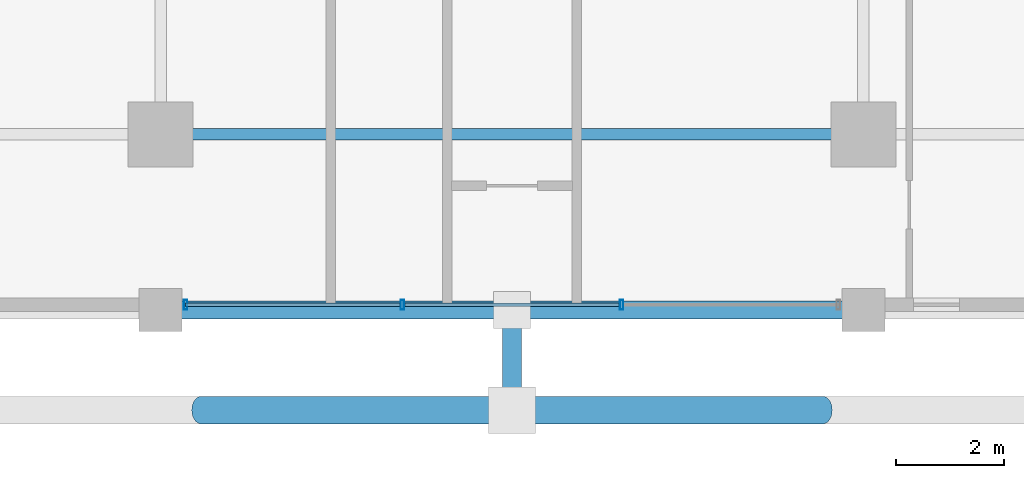
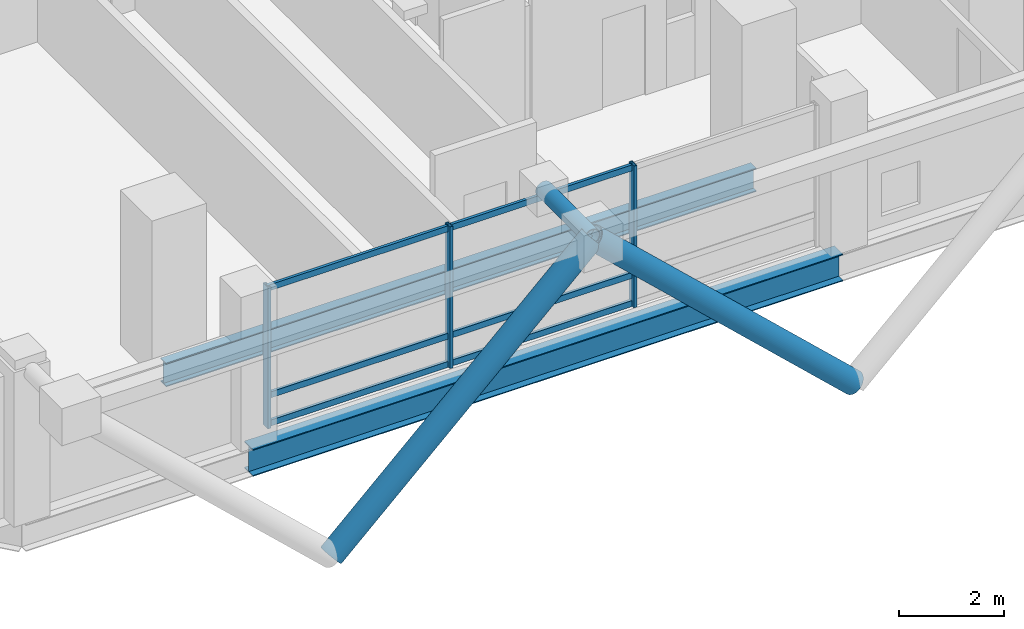
# One storey, part 2 of 25: 12 members, 2 beams, 1 element without a shape of its own.
"""IFC4 building model written with IfcOpenShell, lengths in metres."""

import ifcopenshell
import ifcopenshell.guid

model = None  # the IFC model being written
_history = None  # IfcOwnerHistory: only IFC2X3 demands one
_inside = {}  # id of a spatial element -> (the spatial element, [elements in it])
_under = {}  # id of a project, library or spatial element -> (it, [spatial elements below it])
_declared = {}  # id of a project -> (the project, [libraries it declares])
_typed = {}  # id of a type object -> (the type object, [elements of that type])
_made_of = {}  # id of a material, layer set ... -> (it, [elements and type objects made of it])


def new_model(schema):
    """Start an empty IFC model of exactly this schema.

    Asked for "IFC4X3", IfcOpenShell would pick the latest addendum, in which some entities
    have other attributes; the version numbers below select the first issue.
    IFC2X3 requires an IfcOwnerHistory on every rooted entity: one is made here for all.
    """
    global model, _history
    if schema == "IFC4X3":
        model = ifcopenshell.file(schema_version=(4, 3, 0, 0))
    else:
        model = ifcopenshell.file(schema=schema)
    _inside.clear()
    _under.clear()
    _declared.clear()
    _typed.clear()
    _made_of.clear()
    _history = None
    if model.schema == "IFC2X3":
        org = make("IfcOrganization", Name="unknown")
        user = make(
            "IfcPersonAndOrganization",
            ThePerson=make("IfcPerson", FamilyName="unknown"),
            TheOrganization=org,
        )
        app = make(
            "IfcApplication",
            ApplicationDeveloper=org,
            Version="unknown",
            ApplicationFullName="unknown",
            ApplicationIdentifier="unknown",
        )
        _history = make(
            "IfcOwnerHistory",
            OwningUser=user,
            OwningApplication=app,
            ChangeAction="ADDED",
            CreationDate=0,
        )
    return model


def make(cls, **values):
    """One entity of the class cls with the attributes given. An attribute that is None is left unset."""
    return model.create_entity(
        cls, **{name: value for name, value in values.items() if value is not None}
    )


def rooted(cls, **values):
    """An entity with a GlobalId (a new one), such as an element, a storey or a relation."""
    return make(cls, GlobalId=ifcopenshell.guid.new(), OwnerHistory=_history, **values)


def si_unit(unit_type, name, prefix=None):
    """IfcSIUnit, for example si_unit("LENGTHUNIT", "METRE", prefix="MILLI")."""
    return make("IfcSIUnit", UnitType=unit_type, Prefix=prefix, Name=name)


def assignment(units):
    """IfcUnitAssignment: the units of a project."""
    return None if units is None else make("IfcUnitAssignment", Units=units)


def point(xyz):
    """IfcCartesianPoint."""
    return None if xyz is None else make("IfcCartesianPoint", Coordinates=xyz)


def direction(xyz):
    """IfcDirection."""
    return None if xyz is None else make("IfcDirection", DirectionRatios=xyz)


def frame(location, z_axis=None, x_axis=None):
    """IfcAxis2Placement3D, a coordinate frame: its origin and axes. An axis left out is left unset."""
    return make(
        "IfcAxis2Placement3D",
        Location=point(location),
        Axis=direction(z_axis),
        RefDirection=direction(x_axis),
    )


def frame_2d(location, x_axis=None):
    """IfcAxis2Placement2D, a coordinate frame in the plane: its origin and x axis."""
    return make(
        "IfcAxis2Placement2D", Location=point(location), RefDirection=direction(x_axis)
    )


def origin():
    """The frame at (0, 0, 0) with its axes left unset."""
    return frame((0.0, 0.0, 0.0))


def origin_2d():
    """The frame at (0, 0) in the plane with its x axis left unset."""
    return frame_2d((0.0, 0.0))


def place(relative_to, where):
    """IfcLocalPlacement: puts the frame where relative to a parent placement (None: the world)."""
    return make(
        "IfcLocalPlacement", PlacementRelTo=relative_to, RelativePlacement=where
    )


def context(
    kind, dimensions, precision=None, world=None, true_north=None, identifier=None
):
    """IfcGeometricRepresentationContext, for example the 3D "Model" context."""
    return make(
        "IfcGeometricRepresentationContext",
        ContextIdentifier=identifier,
        ContextType=kind,
        CoordinateSpaceDimension=dimensions,
        Precision=precision,
        WorldCoordinateSystem=world,
        TrueNorth=true_north,
    )


def subcontext(parent, identifier, kind, view, scale=None):
    """IfcGeometricRepresentationSubContext, for example "Body" below "Model"."""
    return make(
        "IfcGeometricRepresentationSubContext",
        ContextIdentifier=identifier,
        ContextType=kind,
        ParentContext=parent,
        TargetScale=scale,
        TargetView=view,
    )


def project(units=None, contexts=None):
    """IfcProject with its units and contexts."""
    return rooted(
        "IfcProject",
        Name="project",
        RepresentationContexts=contexts,
        UnitsInContext=assignment(units),
    )


def spatial(cls, under=None, at=None, **own):
    """A site, building, storey or space (cls), placed at a placement, below another one or the project."""
    s = rooted(cls, ObjectPlacement=at, **own)
    if under is not None:
        _under.setdefault(under.id(), (under, []))[1].append(s)
    return s


def profile(cls, at=None, kind="AREA", **sizes):
    """A parametric profile (cls). Its sizes go by their IFC names, for example OverallWidth=200.0."""
    return make(cls, ProfileType=kind, Position=at, **sizes)


def hollow_rectangle(**sizes):
    """IfcRectangleHollowProfileDef."""
    return profile("IfcRectangleHollowProfileDef", **sizes)


def hollow_circle(**sizes):
    """IfcCircleHollowProfileDef."""
    return profile("IfcCircleHollowProfileDef", **sizes)


def i_section(**sizes):
    """IfcIShapeProfileDef."""
    return profile("IfcIShapeProfileDef", **sizes)


def extrude(swept, where, along, depth):
    """IfcExtrudedAreaSolid: the profile swept, set in the frame where, extruded along a direction by depth."""
    return make(
        "IfcExtrudedAreaSolid",
        SweptArea=swept,
        Position=where,
        ExtrudedDirection=direction(along),
        Depth=depth,
    )


def shape(context_of_items, identifier, shape_type, items):
    """IfcShapeRepresentation: the items that make up one representation, for example the "Body"."""
    return make(
        "IfcShapeRepresentation",
        ContextOfItems=context_of_items,
        RepresentationIdentifier=identifier,
        RepresentationType=shape_type,
        Items=items,
    )


def material(Name=None, Category=None):
    """IfcMaterial."""
    return make("IfcMaterial", Name=Name, Category=Category)


def layer(
    of_material, thickness, ventilated=None, Name=None, Category=None, Priority=None
):
    """IfcMaterialLayer: one layer of a wall or slab, of a material (None: an air gap)."""
    return make(
        "IfcMaterialLayer",
        Material=of_material,
        LayerThickness=thickness,
        IsVentilated=ventilated,
        Name=Name,
        Category=Category,
        Priority=Priority,
    )


def layer_set(layers, Name=None):
    """IfcMaterialLayerSet."""
    return make("IfcMaterialLayerSet", MaterialLayers=layers, LayerSetName=Name)


def material_profile(
    of_material, cross_section, Name=None, Category=None, Priority=None
):
    """IfcMaterialProfile: a cross section and its material."""
    return make(
        "IfcMaterialProfile",
        Name=Name,
        Material=of_material,
        Profile=cross_section,
        Priority=Priority,
        Category=Category,
    )


def profile_set(profiles, Name=None, composite=None):
    """IfcMaterialProfileSet."""
    return make(
        "IfcMaterialProfileSet",
        Name=Name,
        MaterialProfiles=profiles,
        CompositeProfile=composite,
    )


def made_of(thing, what):
    """Note that an element or type object is made of a material, layer set ...; save() writes the relation."""
    if what is not None:
        _made_of.setdefault(what.id(), (what, []))[1].append(thing)
    return thing


def type_object(cls, material=None, **own):
    """A type object (cls), such as IfcWallType, which elements share."""
    return made_of(rooted(cls, **own), material)


def element(
    cls,
    number,
    at=None,
    inside=None,
    cuts=None,
    type_object=None,
    material=None,
    context=None,
    identifier="Body",
    shape_type=None,
    held_by="IfcProductDefinitionShape",
    body=None,
    shapes=None,
    **own,
):
    """One element of the class cls, such as IfcWall. Its Tag is "e" and its number.

    at: its placement. inside: the storey or other place that contains it. cuts: it is an
    opening in that element (IfcRelVoidsElement). A single representation is given by context,
    identifier, shape_type and body (its items); several are given by shapes. held_by: the class
    of the entity that holds the representations. save() writes the other relations.
    """
    e = rooted(cls, Tag="e%d" % number, ObjectPlacement=at, **own)
    if body is not None:
        shapes = [shape(context, identifier, shape_type, body)]
    if shapes is not None:
        e.Representation = make(held_by, Representations=shapes)
    if inside is not None:
        _inside.setdefault(inside.id(), (inside, []))[1].append(e)
    if cuts is not None:
        rooted(
            "IfcRelVoidsElement", RelatingBuildingElement=cuts, RelatedOpeningElement=e
        )
    if type_object is not None:
        _typed.setdefault(type_object.id(), (type_object, []))[1].append(e)
    return made_of(e, material)


def aggregate(whole, parts):
    """IfcRelAggregates: a whole, such as a stair, and the parts it consists of."""
    return rooted("IfcRelAggregates", RelatingObject=whole, RelatedObjects=parts)


def save(model, path):
    """Write the relations noted so far, then the file.

    IfcRelAggregates (storeys below a building ...), IfcRelContainedInSpatialStructure (elements
    in a storey), IfcRelDefinesByType, IfcRelAssociatesMaterial and IfcRelDeclares: one each for
    every whole, place, type object, material and project.
    """
    for whole, parts in _under.values():
        aggregate(whole, parts)
    for where, things in _inside.values():
        rooted(
            "IfcRelContainedInSpatialStructure",
            RelatedElements=things,
            RelatingStructure=where,
        )
    for kind, things in _typed.values():
        rooted("IfcRelDefinesByType", RelatedObjects=things, RelatingType=kind)
    for what, things in _made_of.values():
        rooted("IfcRelAssociatesMaterial", RelatedObjects=things, RelatingMaterial=what)
    for by, libraries in _declared.values():
        rooted("IfcRelDeclares", RelatingContext=by, RelatedDefinitions=libraries)
    model.write(path)


model = new_model("IFC4")

# Units and contexts
model_context = context("Model", 3, precision=1e-05, world=origin(), true_north=direction((0.0, 1.0)))
body_context = subcontext(model_context, "Body", "Model", "MODEL_VIEW")
ifc_project = project(units=[si_unit("LENGTHUNIT", "METRE"), si_unit("AREAUNIT", "SQUARE_METRE"), si_unit("VOLUMEUNIT", "CUBIC_METRE"), si_unit("PLANEANGLEUNIT", "RADIAN"), si_unit("MASSUNIT", "GRAM", prefix="KILO")], contexts=[model_context])

# Site, building, storey
site_placement = place(None, origin())
site = spatial("IfcSite", under=ifc_project, at=site_placement, CompositionType="ELEMENT")
building_placement = place(site_placement, origin())
building = spatial("IfcBuilding", under=site, at=building_placement, Name="Barlavira Tower and Art Museum", CompositionType="ELEMENT")
storey_placement = place(building_placement, frame((0.0, 0.0, 162.0)))
storey = spatial("IfcBuildingStorey", under=building, at=storey_placement, Name="L41", CompositionType="ELEMENT", Elevation=162.0)

# Curtain wall, members
ifc_material_1 = material(Name="Low-iron coastal laminated glass", Category="glass")
ifc_layer = layer(ifc_material_1, 0.18994140625, Name="Low-iron coastal laminated glass")
ifc_layer_set = layer_set([ifc_layer], Name="Low-iron coastal laminated glass")
curtain_wall_type = type_object("IfcCurtainWallType", Name="Pale-Metal Unitised Curtain Wall Zone 2", PredefinedType="NOTDEFINED", material=ifc_layer_set)
curtain_wall_placement = place(storey_placement, origin())
curtain_wall = element("IfcCurtainWall", 1, at=curtain_wall_placement, inside=storey, type_object=curtain_wall_type, Name="L41 Curtain Wall CW2-L41-S-B3", PredefinedType="NOTDEFINED")
ifc_material_2 = material(Name="Pale anodised aluminium", Category="aluminium")
ifc_material_profile_1 = material_profile(ifc_material_2, hollow_rectangle(XDim=0.06494140625, YDim=0.179931640625, WallThickness=0.00390625, at=origin_2d()), Name="ALU-MULL 65x180x4")
ifc_profile_set_1 = profile_set([ifc_material_profile_1], Name="Pale anodised aluminium")
member_type_1 = type_object("IfcMemberType", Name="Curtain Wall Pale-Metal Mullion 65x180", PredefinedType="MULLION", material=ifc_profile_set_1)
member_1_placement = place(storey_placement, frame((-6.034912109375, -23.14990234375, 0.0), z_axis=(0.0, 0.0, 1.0), x_axis=(1.0, 0.0, 0.0)))
member_1 = element("IfcMember", 2, at=member_1_placement, type_object=member_type_1, Name="CW2-L41-S-B3 Mullion 0", PredefinedType="MULLION", context=body_context, shape_type="SweptSolid", body=[
    extrude(hollow_rectangle(XDim=0.06494140625, YDim=0.179931640625, WallThickness=0.00390625, at=origin_2d()), origin(), (0.0, 0.0, 1.0), 3.300048828125),
])
member_2_placement = place(storey_placement, frame((-2.026611328125, -23.14990234375, 0.0), z_axis=(0.0, 0.0, 1.0), x_axis=(1.0, 0.0, 0.0)))
member_2 = element("IfcMember", 3, at=member_2_placement, type_object=member_type_1, Name="CW2-L41-S-B3 Mullion 1", PredefinedType="MULLION", context=body_context, shape_type="SweptSolid", body=[
    extrude(hollow_rectangle(XDim=0.06494140625, YDim=0.179931640625, WallThickness=0.00390625, at=origin_2d()), origin(), (0.0, 0.0, 1.0), 3.300048828125),
])
member_3_placement = place(storey_placement, frame((2.026611328125, -23.14990234375, 0.0), z_axis=(0.0, 0.0, 1.0), x_axis=(1.0, 0.0, 0.0)))
member_3 = element("IfcMember", 4, at=member_3_placement, type_object=member_type_1, Name="CW2-L41-S-B3 Mullion 2", PredefinedType="MULLION", context=body_context, shape_type="SweptSolid", body=[
    extrude(hollow_rectangle(XDim=0.06494140625, YDim=0.179931640625, WallThickness=0.00390625, at=origin_2d()), origin(), (0.0, 0.0, 1.0), 3.300048828125),
])
ifc_material_profile_2 = material_profile(ifc_material_2, hollow_rectangle(XDim=0.06494140625, YDim=0.139892578125, WallThickness=0.00390625, at=origin_2d()), Name="ALU-TRAN 65x140x4")
ifc_profile_set_2 = profile_set([ifc_material_profile_2], Name="Pale anodised aluminium")
member_type_2 = type_object("IfcMemberType", Name="Curtain Wall Pale-Metal Transom 65x140", PredefinedType="USERDEFINED", material=ifc_profile_set_2)
member_4_placement = place(storey_placement, frame((-6.034912109375, -23.14990234375, 0.070068359375), z_axis=(1.0, 0.0, 0.0), x_axis=(0.0, 1.0, 0.0)))
member_4 = element("IfcMember", 5, at=member_4_placement, type_object=member_type_2, Name="CW2-L41-S-B3 Transom 0.1", ObjectType="TRANSOM", PredefinedType="USERDEFINED", context=body_context, shape_type="SweptSolid", body=[
    extrude(hollow_rectangle(XDim=0.06494140625, YDim=0.139892578125, WallThickness=0.00390625, at=origin_2d()), origin(), (0.0, 0.0, 1.0), 3.963134765625),
])
member_5_placement = place(storey_placement, frame((-6.034912109375, -23.14990234375, 0.72607421875), z_axis=(1.0, 0.0, 0.0), x_axis=(0.0, 1.0, 0.0)))
member_5 = element("IfcMember", 6, at=member_5_placement, type_object=member_type_2, Name="CW2-L41-S-B3 Transom 0.2", ObjectType="TRANSOM", PredefinedType="USERDEFINED", context=body_context, shape_type="SweptSolid", body=[
    extrude(hollow_rectangle(XDim=0.06494140625, YDim=0.139892578125, WallThickness=0.00390625, at=origin_2d()), origin(), (0.0, 0.0, 1.0), 3.963134765625),
])
member_6_placement = place(storey_placement, frame((-6.034912109375, -23.14990234375, 3.22998046875), z_axis=(1.0, 0.0, 0.0), x_axis=(0.0, 1.0, 0.0)))
member_6 = element("IfcMember", 7, at=member_6_placement, type_object=member_type_2, Name="CW2-L41-S-B3 Transom 0.3", ObjectType="TRANSOM", PredefinedType="USERDEFINED", context=body_context, shape_type="SweptSolid", body=[
    extrude(hollow_rectangle(XDim=0.06494140625, YDim=0.139892578125, WallThickness=0.00390625, at=origin_2d()), origin(), (0.0, 0.0, 1.0), 3.963134765625),
])
member_7_placement = place(storey_placement, frame((-1.981689453125, -23.14990234375, 0.070068359375), z_axis=(1.0, 0.0, 0.0), x_axis=(0.0, 1.0, 0.0)))
member_7 = element("IfcMember", 8, at=member_7_placement, type_object=member_type_2, Name="CW2-L41-S-B3 Transom 1.1", ObjectType="TRANSOM", PredefinedType="USERDEFINED", context=body_context, shape_type="SweptSolid", body=[
    extrude(hollow_rectangle(XDim=0.06494140625, YDim=0.139892578125, WallThickness=0.00390625, at=origin_2d()), origin(), (0.0, 0.0, 1.0), 3.96337890625),
])
member_8_placement = place(storey_placement, frame((-1.981689453125, -23.14990234375, 0.72607421875), z_axis=(1.0, 0.0, 0.0), x_axis=(0.0, 1.0, 0.0)))
member_8 = element("IfcMember", 9, at=member_8_placement, type_object=member_type_2, Name="CW2-L41-S-B3 Transom 1.2", ObjectType="TRANSOM", PredefinedType="USERDEFINED", context=body_context, shape_type="SweptSolid", body=[
    extrude(hollow_rectangle(XDim=0.06494140625, YDim=0.139892578125, WallThickness=0.00390625, at=origin_2d()), origin(), (0.0, 0.0, 1.0), 3.96337890625),
])
member_9_placement = place(storey_placement, frame((-1.981689453125, -23.14990234375, 3.22998046875), z_axis=(1.0, 0.0, 0.0), x_axis=(0.0, 1.0, 0.0)))
member_9 = element("IfcMember", 10, at=member_9_placement, type_object=member_type_2, Name="CW2-L41-S-B3 Transom 1.3", ObjectType="TRANSOM", PredefinedType="USERDEFINED", context=body_context, shape_type="SweptSolid", body=[
    extrude(hollow_rectangle(XDim=0.06494140625, YDim=0.139892578125, WallThickness=0.00390625, at=origin_2d()), origin(), (0.0, 0.0, 1.0), 3.96337890625),
])
aggregate(curtain_wall, [member_1, member_2, member_3, member_4, member_5, member_6, member_7, member_8, member_9])

# Members
ifc_material_3 = material(Name="Steel S355", Category="steel")
ifc_material_profile_3 = material_profile(ifc_material_3, hollow_circle(Radius=0.25390625, WallThickness=0.022216796875, at=origin_2d()), Name="CHS 508.0x22.2")
ifc_profile_set_3 = profile_set([ifc_material_profile_3], Name="Steel S355")
member_type_3 = type_object("IfcMemberType", Name="Pale-Metal Exoskeleton Diagrid Tube CHS 508x22 Steel S355", PredefinedType="BRACE", material=ifc_profile_set_3)
for number, where, z_axis, x_axis, name in (
    (11, (-5.75, -25.10009765625, -1.919921875), (0.728950095515, 0.0, 0.684566839869), (0.0, 1.0, 0.0), "L41 Exoskeleton Diagrid Tube S"),
    (12, (5.75, -25.10009765625, -1.919921875), (-0.728950095515, 0.0, 0.684566839869), (0.0, -1.0, 0.0), "L41 Exoskeleton Diagrid Tube S"),
):
    element("IfcMember", number, at=place(storey_placement, frame(where, z_axis=z_axis, x_axis=x_axis)), inside=storey, type_object=member_type_3, Name=name, PredefinedType="BRACE", context=body_context, shape_type="SweptSolid", body=[
        extrude(hollow_circle(Radius=0.25390625, WallThickness=0.022216796875, at=origin_2d()), origin(), (0.0, 0.0, 1.0), 7.887939453125),
    ])
ifc_material_profile_4 = material_profile(ifc_material_3, hollow_circle(Radius=0.177734375, WallThickness=0.01611328125, at=origin_2d()), Name="CHS 355.6x16.0")
ifc_profile_set_4 = profile_set([ifc_material_profile_4], Name="Steel S355")
member_type_4 = type_object("IfcMemberType", Name="Pale-Metal Exoskeleton Tie Strut CHS 356x16 Steel S355", PredefinedType="STRUT", material=ifc_profile_set_4)
member_10_placement = place(storey_placement, frame((0.0, -25.10009765625, 3.47998046875), z_axis=(0.0, 1.0, 0.0), x_axis=(-1.0, 0.0, 0.0)))
element("IfcMember", 13, at=member_10_placement, inside=storey, type_object=member_type_4, Name="L41 Exoskeleton Top Tie Strut S2", PredefinedType="STRUT", context=body_context, shape_type="SweptSolid", body=[
    extrude(hollow_circle(Radius=0.177734375, WallThickness=0.01611328125, at=origin_2d()), origin(), (0.0, 0.0, 1.0), 1.85009765625),
])

# Beams
ifc_material_profile_5 = material_profile(ifc_material_3, i_section(OverallWidth=0.327880859375, OverallDepth=0.62890625, WebThickness=0.013916015625, FlangeThickness=0.021484375, at=origin_2d()), Name="W610x174.0")
ifc_profile_set_5 = profile_set([ifc_material_profile_5], Name="Steel S355")
beam_type_1 = type_object("IfcBeamType", Name="Perimeter Spandrel Edge Beam W610x174 Steel S355", PredefinedType="SPANDREL", material=ifc_profile_set_5)
beam_1_placement = place(storey_placement, frame((-6.5, -23.25, -0.534423828125), z_axis=(1.0, 0.0, 0.0), x_axis=(0.0, 1.0, 0.0)))
element("IfcBeam", 14, at=beam_1_placement, inside=storey, type_object=beam_type_1, Name="L41 Spandrel 2", PredefinedType="SPANDREL", context=body_context, shape_type="SweptSolid", body=[
    extrude(i_section(OverallWidth=0.327880859375, OverallDepth=0.62890625, WebThickness=0.013916015625, FlangeThickness=0.021484375, at=origin_2d()), origin(), (0.0, 0.0, 1.0), 13.0),
])
ifc_material_profile_6 = material_profile(ifc_material_3, i_section(OverallWidth=0.214111328125, OverallDepth=0.549072265625, WebThickness=0.0146484375, FlangeThickness=0.023681640625, at=origin_2d()), Name="W530x138.0")
ifc_profile_set_6 = profile_set([ifc_material_profile_6], Name="Steel S355")
beam_type_2 = type_object("IfcBeamType", Name="Zone 1 Primary Floor Girder W530x138 Steel S355", PredefinedType="BEAM", material=ifc_profile_set_6)
beam_2_placement = place(storey_placement, frame((-6.5, -20.0, -0.494384765625), z_axis=(1.0, 0.0, 0.0), x_axis=(0.0, 1.0, 0.0)))
element("IfcBeam", 15, at=beam_2_placement, inside=storey, type_object=beam_type_2, Name="L41 Girder M-S2", PredefinedType="BEAM", context=body_context, shape_type="SweptSolid", body=[
    extrude(i_section(OverallWidth=0.214111328125, OverallDepth=0.549072265625, WebThickness=0.0146484375, FlangeThickness=0.023681640625, at=origin_2d()), origin(), (0.0, 0.0, 1.0), 13.0),
])

save(model, "model.ifc")
